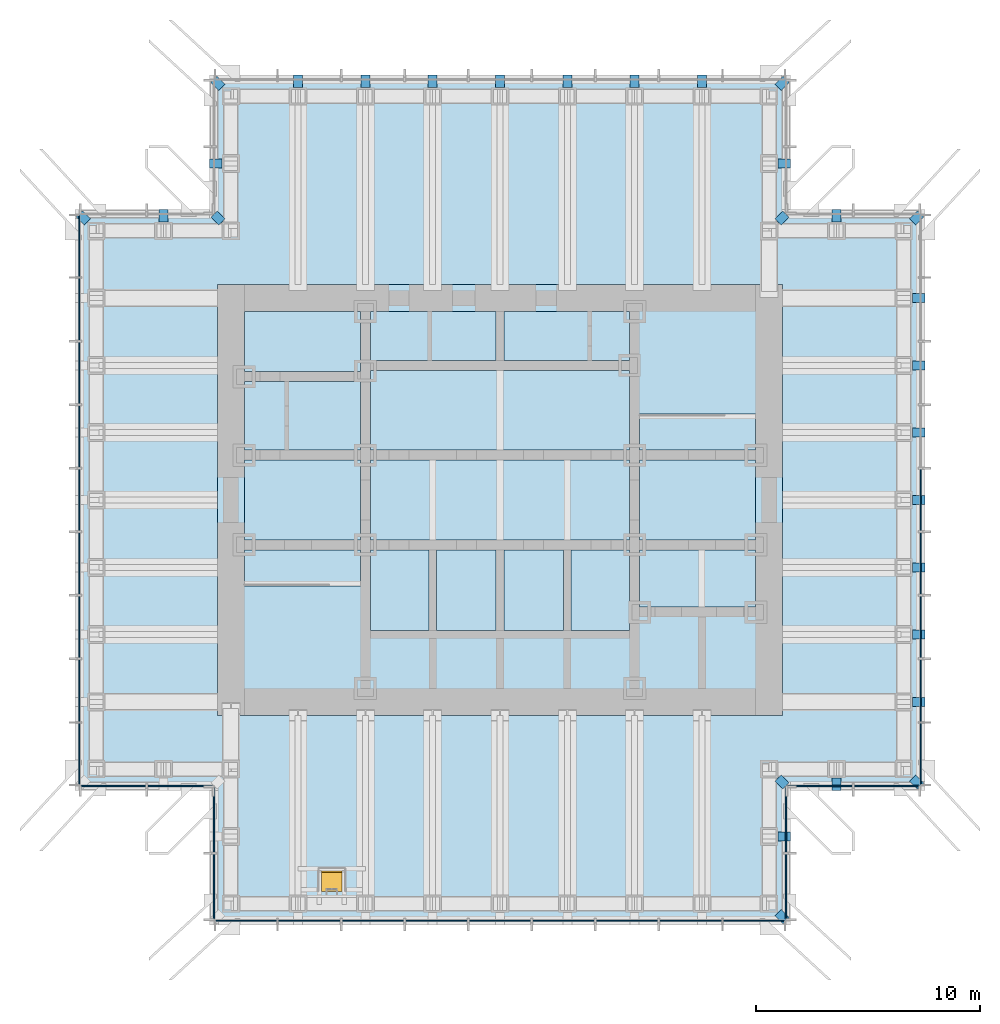
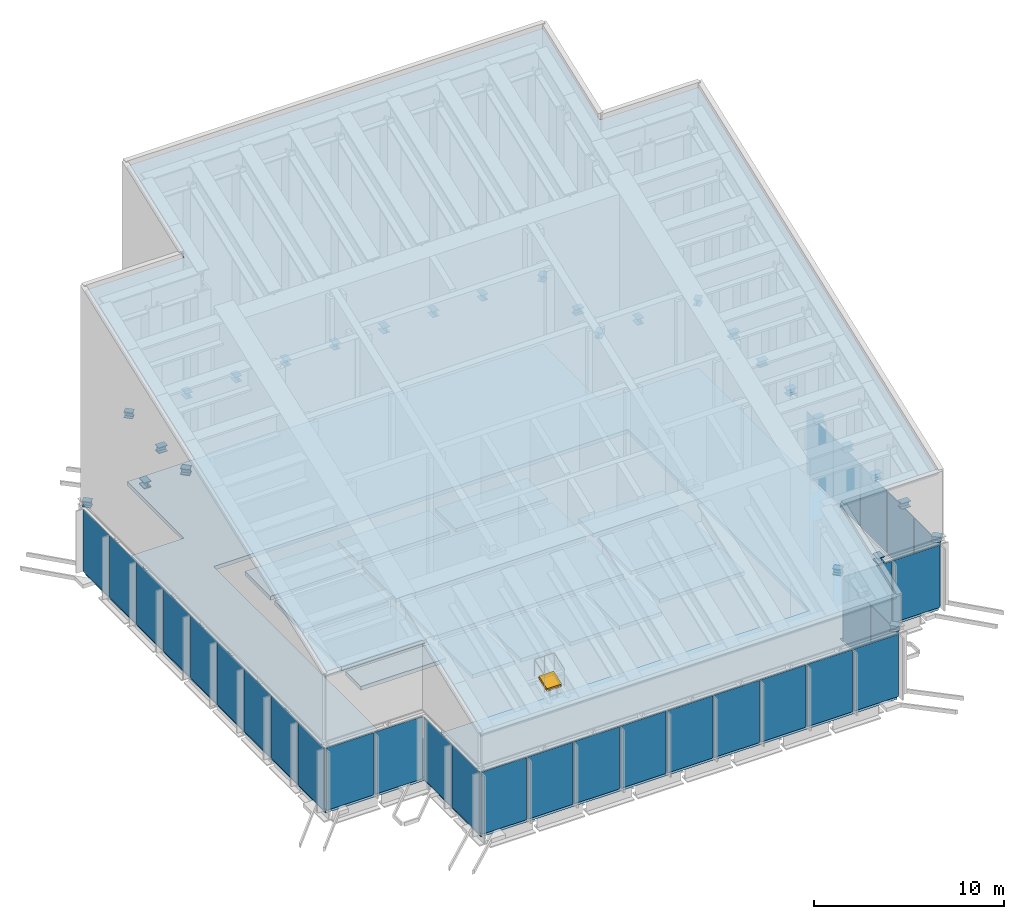
# One storey, part 9 of 15: 31 plates, 29 beams, 17 slabs, 1 door, 1 opening, 7 elements without a shape of their own.
"""IFC4 building model written with IfcOpenShell, lengths in metres."""

from ifc_helpers import new_model, si_unit, direction, frame, origin, origin_2d, place, context, subcontext, project, spatial, polyline, rectangle, i_section, outline, extrude, material, layer, layer_set, material_profile, profile_set, type_object, element, fill, aggregate, save


model = new_model("IFC4")

# Units and contexts
model_context = context("Model", 3, precision=1e-05, world=origin(), true_north=direction((0.0, 1.0)))
body_context = subcontext(model_context, "Body", "Model", "MODEL_VIEW")
ifc_project = project(units=[si_unit("LENGTHUNIT", "METRE"), si_unit("AREAUNIT", "SQUARE_METRE"), si_unit("VOLUMEUNIT", "CUBIC_METRE"), si_unit("PLANEANGLEUNIT", "RADIAN"), si_unit("MASSUNIT", "GRAM", prefix="KILO")], contexts=[model_context])

# Site, building, storey
site_placement = place(None, origin())
site = spatial("IfcSite", under=ifc_project, at=site_placement, CompositionType="ELEMENT")
building_placement = place(site_placement, origin())
building = spatial("IfcBuilding", under=site, at=building_placement, Name="Daluyong Arena Tower", CompositionType="ELEMENT")
storey_placement = place(building_placement, frame((0.0, 0.0, 285.699951171875)))
storey = spatial("IfcBuildingStorey", under=building, at=storey_placement, Name="L64", CompositionType="ELEMENT", Elevation=285.699951171875)

# Beams
ifc_material_1 = material(Name="Steel ASTM A992 Grade 50", Category="steel")
ifc_material_profile = material_profile(ifc_material_1, i_section(OverallWidth=0.398681640625, OverallDepth=0.385986328125, WebThickness=0.02099609375, FlangeThickness=0.033203125, at=origin_2d()))
ifc_profile_set = profile_set([ifc_material_profile], Name="Steel ASTM A992 Grade 50")
beam_type = type_object("IfcBeamType", Name="Crown louvre bracket W14X176", PredefinedType="BEAM", material=ifc_profile_set)
for number, where, z_axis, x_axis, name in (
    (1, (68.39990234375, 65.0, 4.39306640625), (1.0, 0.0, 0.0), (0.0, 1.0, 0.0), "crown louvre bracket LB1"),
    (2, (71.0, 67.60009765625, 4.39306640625), (0.0, -1.0, 0.0), (1.0, 0.0, 0.0), "crown louvre bracket LB1"),
    (3, (74.39990234375, 71.0, 4.39306640625), (1.0, 0.0, 0.0), (0.0, 1.0, 0.0), "crown louvre bracket LB1"),
    (4, (74.39990234375, 74.0, 4.39306640625), (1.0, 0.0, 0.0), (0.0, 1.0, 0.0), "crown louvre bracket LB1"),
    (5, (74.39990234375, 77.0, 4.39306640625), (1.0, 0.0, 0.0), (0.0, 1.0, 0.0), "crown louvre bracket LB1"),
    (6, (74.39990234375, 80.0, 4.39306640625), (1.0, 0.0, 0.0), (0.0, 1.0, 0.0), "crown louvre bracket LB1"),
    (7, (74.39990234375, 83.0, 4.39306640625), (1.0, 0.0, 0.0), (0.0, 1.0, 0.0), "crown louvre bracket LB1"),
    (8, (74.39990234375, 86.0, 4.39306640625), (1.0, 0.0, 0.0), (0.0, 1.0, 0.0), "crown louvre bracket LB1"),
    (9, (74.39990234375, 89.0, 4.39306640625), (1.0, 0.0, 0.0), (0.0, 1.0, 0.0), "crown louvre bracket LB1"),
    (10, (71.0, 92.39990234375, 4.39306640625), (0.0, 1.0, 0.0), (-1.0, 0.0, 0.0), "crown louvre bracket LB1"),
    (11, (68.39990234375, 95.0, 4.39306640625), (1.0, 0.0, 0.0), (0.0, 1.0, 0.0), "crown louvre bracket LB1"),
    (12, (65.0, 98.39990234375, 4.39306640625), (0.0, 1.0, 0.0), (-1.0, 0.0, 0.0), "crown louvre bracket LB1"),
    (13, (62.0, 98.39990234375, 4.39306640625), (0.0, 1.0, 0.0), (-1.0, 0.0, 0.0), "crown louvre bracket LB1"),
    (14, (59.0, 98.39990234375, 4.39306640625), (0.0, 1.0, 0.0), (-1.0, 0.0, 0.0), "crown louvre bracket LB1"),
    (15, (56.0, 98.39990234375, 4.39306640625), (0.0, 1.0, 0.0), (-1.0, 0.0, 0.0), "crown louvre bracket LB1"),
    (16, (53.0, 98.39990234375, 4.39306640625), (0.0, 1.0, 0.0), (-1.0, 0.0, 0.0), "crown louvre bracket LB1"),
    (17, (50.0, 98.39990234375, 4.39306640625), (0.0, 1.0, 0.0), (-1.0, 0.0, 0.0), "crown louvre bracket LB1"),
    (18, (47.0, 98.39990234375, 4.39306640625), (0.0, 1.0, 0.0), (-1.0, 0.0, 0.0), "crown louvre bracket LB1"),
    (19, (43.60009765625, 95.0, 4.39306640625), (-1.0, 0.0, 0.0), (0.0, -1.0, 0.0), "crown louvre bracket LB1"),
    (20, (41.0, 92.39990234375, 4.39306640625), (0.0, 1.0, 0.0), (-1.0, 0.0, 0.0), "crown louvre bracket LB1"),
):
    element("IfcBeam", number, at=place(storey_placement, frame(where, z_axis=z_axis, x_axis=x_axis)), inside=storey, type_object=beam_type, Name=name, PredefinedType="BEAM", context=body_context, shape_type="SweptSolid", body=[
        extrude(i_section(OverallWidth=0.398681640625, OverallDepth=0.385986328125, WebThickness=0.02099609375, FlangeThickness=0.033203125, at=origin_2d()), origin(), (0.0, 0.0, 1.0), 0.549560546875),
    ])
for number, where, z_axis, x_axis, name in (
    (21, (68.39990234375, 61.60009765625, 4.39306640625), (0.707106781187, -0.707106781187, 0.0), (0.707106781187, 0.707106781187, 0.0), "crown louvre bracket LB1"),
    (22, (68.39990234375, 67.60009765625, 4.39306640625), (0.707106781187, -0.707106781187, 0.0), (0.707106781187, 0.707106781187, 0.0), "crown louvre bracket LB1"),
    (23, (74.39990234375, 67.60009765625, 4.39306640625), (0.707106781187, -0.707106781187, 0.0), (0.707106781187, 0.707106781187, 0.0), "crown louvre bracket LB1"),
    (24, (74.39990234375, 92.39990234375, 4.39306640625), (0.707106781187, 0.707106781187, 0.0), (-0.707106781187, 0.707106781187, 0.0), "crown louvre bracket LB1"),
    (25, (68.39990234375, 92.39990234375, 4.39306640625), (0.707106781187, 0.707106781187, 0.0), (-0.707106781187, 0.707106781187, 0.0), "crown louvre bracket LB1"),
    (26, (68.39990234375, 98.39990234375, 4.39306640625), (0.707106781187, 0.707106781187, 0.0), (-0.707106781187, 0.707106781187, 0.0), "crown louvre bracket LB1"),
    (27, (43.60009765625, 98.39990234375, 4.39306640625), (-0.707106781187, 0.707106781187, 0.0), (-0.707106781187, -0.707106781187, 0.0), "crown louvre bracket LB1"),
    (28, (43.60009765625, 92.39990234375, 4.39306640625), (-0.707106781187, 0.707106781187, 0.0), (-0.707106781187, -0.707106781187, 0.0), "crown louvre bracket LB1"),
    (29, (37.60009765625, 92.39990234375, 4.39306640625), (-0.707106781187, 0.707106781187, 0.0), (-0.707106781187, -0.707106781187, 0.0), "crown louvre bracket LB1"),
):
    element("IfcBeam", number, at=place(storey_placement, frame(where, z_axis=z_axis, x_axis=x_axis)), inside=storey, type_object=beam_type, Name=name, PredefinedType="BEAM", context=body_context, shape_type="SweptSolid", body=[
        extrude(i_section(OverallWidth=0.398681640625, OverallDepth=0.385986328125, WebThickness=0.02099609375, FlangeThickness=0.033203125, at=origin_2d()), origin(), (0.0, 0.0, 1.0), 0.4951171875),
    ])

# Curtain wall, plates
ifc_material_2 = material(Name="Bronze anodised aluminium and glass", Category="aluminium")
curtain_wall_type = type_object("IfcCurtainWallType", Name="Curtain wall CW6", PredefinedType="USERDEFINED", material=ifc_material_2)
curtain_wall_1_placement = place(storey_placement, origin())
curtain_wall_1 = element("IfcCurtainWall", 30, at=curtain_wall_1_placement, inside=storey, type_object=curtain_wall_type, Name="crown louvre curtain wall L64 S", ObjectType="UNITISED CURTAIN WALL", PredefinedType="USERDEFINED")
ifc_material_3 = material(Name="Bronze aluminium louvre panel", Category="aluminium")
ifc_layer_1 = layer(ifc_material_3, 0.050048828125)
ifc_layer_set_1 = layer_set([ifc_layer_1], Name="Bronze aluminium louvre panel")
plate_type = type_object("IfcPlateType", Name="CW6 panel 50", PredefinedType="CURTAIN_PANEL", material=ifc_layer_set_1)
plate_1_placement = place(storey_placement, frame((44.686767578125, 61.25, 0.0), z_axis=(0.0, 0.0, 1.0), x_axis=(1.0, 0.0, 0.0)))
plate_1 = element("IfcPlate", 31, at=plate_1_placement, type_object=plate_type, Name="crown louvre curtain wall L64 S panel 1", PredefinedType="CURTAIN_PANEL", context=body_context, shape_type="SweptSolid", body=[
    extrude(rectangle(XDim=2.71337890625, YDim=0.050048828125, at=origin_2d()), origin(), (0.0, 0.0, 1.0), 4.0),
])
plate_2_placement = place(storey_placement, frame((47.5, 61.25, 0.0), z_axis=(0.0, 0.0, 1.0), x_axis=(1.0, 0.0, 0.0)))
plate_2 = element("IfcPlate", 32, at=plate_2_placement, type_object=plate_type, Name="crown louvre curtain wall L64 S panel 2", PredefinedType="CURTAIN_PANEL", context=body_context, shape_type="SweptSolid", body=[
    extrude(rectangle(XDim=2.75341796875, YDim=0.050048828125, at=origin_2d()), origin(), (0.0, 0.0, 1.0), 4.0),
])
plate_3_placement = place(storey_placement, frame((50.333251953125, 61.25, 0.0), z_axis=(0.0, 0.0, 1.0), x_axis=(1.0, 0.0, 0.0)))
plate_3 = element("IfcPlate", 33, at=plate_3_placement, type_object=plate_type, Name="crown louvre curtain wall L64 S panel 3", PredefinedType="CURTAIN_PANEL", context=body_context, shape_type="SweptSolid", body=[
    extrude(rectangle(XDim=2.75341796875, YDim=0.050048828125, at=origin_2d()), origin(), (0.0, 0.0, 1.0), 4.0),
])
plate_4_placement = place(storey_placement, frame((53.166748046875, 61.25, 0.0), z_axis=(0.0, 0.0, 1.0), x_axis=(1.0, 0.0, 0.0)))
plate_4 = element("IfcPlate", 34, at=plate_4_placement, type_object=plate_type, Name="crown louvre curtain wall L64 S panel 4", PredefinedType="CURTAIN_PANEL", context=body_context, shape_type="SweptSolid", body=[
    extrude(rectangle(XDim=2.75341796875, YDim=0.050048828125, at=origin_2d()), origin(), (0.0, 0.0, 1.0), 4.0),
])
plate_5_placement = place(storey_placement, frame((56.0, 61.25, 0.0), z_axis=(0.0, 0.0, 1.0), x_axis=(1.0, 0.0, 0.0)))
plate_5 = element("IfcPlate", 35, at=plate_5_placement, type_object=plate_type, Name="crown louvre curtain wall L64 S panel 5", PredefinedType="CURTAIN_PANEL", context=body_context, shape_type="SweptSolid", body=[
    extrude(rectangle(XDim=2.75341796875, YDim=0.050048828125, at=origin_2d()), origin(), (0.0, 0.0, 1.0), 4.0),
])
plate_6_placement = place(storey_placement, frame((58.833251953125, 61.25, 0.0), z_axis=(0.0, 0.0, 1.0), x_axis=(1.0, 0.0, 0.0)))
plate_6 = element("IfcPlate", 36, at=plate_6_placement, type_object=plate_type, Name="crown louvre curtain wall L64 S panel 6", PredefinedType="CURTAIN_PANEL", context=body_context, shape_type="SweptSolid", body=[
    extrude(rectangle(XDim=2.75341796875, YDim=0.050048828125, at=origin_2d()), origin(), (0.0, 0.0, 1.0), 4.0),
])
plate_7_placement = place(storey_placement, frame((61.666748046875, 61.25, 0.0), z_axis=(0.0, 0.0, 1.0), x_axis=(1.0, 0.0, 0.0)))
plate_7 = element("IfcPlate", 37, at=plate_7_placement, type_object=plate_type, Name="crown louvre curtain wall L64 S panel 7", PredefinedType="CURTAIN_PANEL", context=body_context, shape_type="SweptSolid", body=[
    extrude(rectangle(XDim=2.75341796875, YDim=0.050048828125, at=origin_2d()), origin(), (0.0, 0.0, 1.0), 4.0),
])
plate_8_placement = place(storey_placement, frame((64.5, 61.25, 0.0), z_axis=(0.0, 0.0, 1.0), x_axis=(1.0, 0.0, 0.0)))
plate_8 = element("IfcPlate", 38, at=plate_8_placement, type_object=plate_type, Name="crown louvre curtain wall L64 S panel 8", PredefinedType="CURTAIN_PANEL", context=body_context, shape_type="SweptSolid", body=[
    extrude(rectangle(XDim=2.75341796875, YDim=0.050048828125, at=origin_2d()), origin(), (0.0, 0.0, 1.0), 4.0),
])
plate_9_placement = place(storey_placement, frame((67.313232421875, 61.25, 0.0), z_axis=(0.0, 0.0, 1.0), x_axis=(1.0, 0.0, 0.0)))
plate_9 = element("IfcPlate", 39, at=plate_9_placement, type_object=plate_type, Name="crown louvre curtain wall L64 S panel 9", PredefinedType="CURTAIN_PANEL", context=body_context, shape_type="SweptSolid", body=[
    extrude(rectangle(XDim=2.71337890625, YDim=0.050048828125, at=origin_2d()), origin(), (0.0, 0.0, 1.0), 4.0),
])
aggregate(curtain_wall_1, [plate_1, plate_2, plate_3, plate_4, plate_5, plate_6, plate_7, plate_8, plate_9])

curtain_wall_2_placement = place(storey_placement, origin())
curtain_wall_2 = element("IfcCurtainWall", 40, at=curtain_wall_2_placement, inside=storey, type_object=curtain_wall_type, Name="crown louvre curtain wall L64 SE-E", ObjectType="UNITISED CURTAIN WALL", PredefinedType="USERDEFINED")
plate_10_placement = place(storey_placement, frame((68.75, 62.77001953125, 0.0), z_axis=(0.0, 0.0, 1.0), x_axis=(0.0, 1.0, 0.0)))
plate_10 = element("IfcPlate", 41, at=plate_10_placement, type_object=plate_type, Name="crown louvre curtain wall L64 SE-E panel 1", PredefinedType="CURTAIN_PANEL", context=body_context, shape_type="SweptSolid", body=[
    extrude(rectangle(XDim=2.8798828125, YDim=0.050048828125, at=origin_2d()), origin(), (0.0, 0.0, 1.0), 4.0),
])
plate_11_placement = place(storey_placement, frame((68.75, 65.72998046875, 0.0), z_axis=(0.0, 0.0, 1.0), x_axis=(0.0, 1.0, 0.0)))
plate_11 = element("IfcPlate", 42, at=plate_11_placement, type_object=plate_type, Name="crown louvre curtain wall L64 SE-E panel 2", PredefinedType="CURTAIN_PANEL", context=body_context, shape_type="SweptSolid", body=[
    extrude(rectangle(XDim=2.8798828125, YDim=0.050048828125, at=origin_2d()), origin(), (0.0, 0.0, 1.0), 4.0),
])
aggregate(curtain_wall_2, [plate_10, plate_11])

curtain_wall_3_placement = place(storey_placement, origin())
curtain_wall_3 = element("IfcCurtainWall", 43, at=curtain_wall_3_placement, inside=storey, type_object=curtain_wall_type, Name="crown louvre curtain wall L64 SE-S", ObjectType="UNITISED CURTAIN WALL", PredefinedType="USERDEFINED")
plate_12_placement = place(storey_placement, frame((70.27001953125, 67.25, 0.0), z_axis=(0.0, 0.0, 1.0), x_axis=(1.0, 0.0, 0.0)))
plate_12 = element("IfcPlate", 44, at=plate_12_placement, type_object=plate_type, Name="crown louvre curtain wall L64 SE-S panel 1", PredefinedType="CURTAIN_PANEL", context=body_context, shape_type="SweptSolid", body=[
    extrude(rectangle(XDim=2.8798828125, YDim=0.050048828125, at=origin_2d()), origin(), (0.0, 0.0, 1.0), 4.0),
])
plate_13_placement = place(storey_placement, frame((73.22998046875, 67.25, 0.0), z_axis=(0.0, 0.0, 1.0), x_axis=(1.0, 0.0, 0.0)))
plate_13 = element("IfcPlate", 45, at=plate_13_placement, type_object=plate_type, Name="crown louvre curtain wall L64 SE-S panel 2", PredefinedType="CURTAIN_PANEL", context=body_context, shape_type="SweptSolid", body=[
    extrude(rectangle(XDim=2.8798828125, YDim=0.050048828125, at=origin_2d()), origin(), (0.0, 0.0, 1.0), 4.0),
])
aggregate(curtain_wall_3, [plate_12, plate_13])

curtain_wall_4_placement = place(storey_placement, origin())
curtain_wall_4 = element("IfcCurtainWall", 46, at=curtain_wall_4_placement, inside=storey, type_object=curtain_wall_type, Name="crown louvre curtain wall L64 E", ObjectType="UNITISED CURTAIN WALL", PredefinedType="USERDEFINED")
plate_14_placement = place(storey_placement, frame((74.75, 68.686767578125, 0.0), z_axis=(0.0, 0.0, 1.0), x_axis=(0.0, 1.0, 0.0)))
plate_14 = element("IfcPlate", 47, at=plate_14_placement, type_object=plate_type, Name="crown louvre curtain wall L64 E panel 1", PredefinedType="CURTAIN_PANEL", context=body_context, shape_type="SweptSolid", body=[
    extrude(rectangle(XDim=2.71337890625, YDim=0.050048828125, at=origin_2d()), origin(), (0.0, 0.0, 1.0), 4.0),
])
plate_15_placement = place(storey_placement, frame((74.75, 71.5, 0.0), z_axis=(0.0, 0.0, 1.0), x_axis=(0.0, 1.0, 0.0)))
plate_15 = element("IfcPlate", 48, at=plate_15_placement, type_object=plate_type, Name="crown louvre curtain wall L64 E panel 2", PredefinedType="CURTAIN_PANEL", context=body_context, shape_type="SweptSolid", body=[
    extrude(rectangle(XDim=2.75341796875, YDim=0.050048828125, at=origin_2d()), origin(), (0.0, 0.0, 1.0), 4.0),
])
plate_16_placement = place(storey_placement, frame((74.75, 74.333251953125, 0.0), z_axis=(0.0, 0.0, 1.0), x_axis=(0.0, 1.0, 0.0)))
plate_16 = element("IfcPlate", 49, at=plate_16_placement, type_object=plate_type, Name="crown louvre curtain wall L64 E panel 3", PredefinedType="CURTAIN_PANEL", context=body_context, shape_type="SweptSolid", body=[
    extrude(rectangle(XDim=2.75341796875, YDim=0.050048828125, at=origin_2d()), origin(), (0.0, 0.0, 1.0), 4.0),
])
plate_17_placement = place(storey_placement, frame((74.75, 77.166748046875, 0.0), z_axis=(0.0, 0.0, 1.0), x_axis=(0.0, 1.0, 0.0)))
plate_17 = element("IfcPlate", 50, at=plate_17_placement, type_object=plate_type, Name="crown louvre curtain wall L64 E panel 4", PredefinedType="CURTAIN_PANEL", context=body_context, shape_type="SweptSolid", body=[
    extrude(rectangle(XDim=2.75341796875, YDim=0.050048828125, at=origin_2d()), origin(), (0.0, 0.0, 1.0), 4.0),
])
plate_18_placement = place(storey_placement, frame((74.75, 80.0, 0.0), z_axis=(0.0, 0.0, 1.0), x_axis=(0.0, 1.0, 0.0)))
plate_18 = element("IfcPlate", 51, at=plate_18_placement, type_object=plate_type, Name="crown louvre curtain wall L64 E panel 5", PredefinedType="CURTAIN_PANEL", context=body_context, shape_type="SweptSolid", body=[
    extrude(rectangle(XDim=2.75341796875, YDim=0.050048828125, at=origin_2d()), origin(), (0.0, 0.0, 1.0), 4.0),
])
aggregate(curtain_wall_4, [plate_14, plate_15, plate_16, plate_17, plate_18])

curtain_wall_5_placement = place(storey_placement, origin())
curtain_wall_5 = element("IfcCurtainWall", 52, at=curtain_wall_5_placement, inside=storey, type_object=curtain_wall_type, Name="crown louvre curtain wall L64 W", ObjectType="UNITISED CURTAIN WALL", PredefinedType="USERDEFINED")
plate_19_placement = place(storey_placement, frame((37.25, 91.313232421875, 0.0), z_axis=(0.0, 0.0, 1.0), x_axis=(0.0, -1.0, 0.0)))
plate_19 = element("IfcPlate", 53, at=plate_19_placement, type_object=plate_type, Name="crown louvre curtain wall L64 W panel 1", PredefinedType="CURTAIN_PANEL", context=body_context, shape_type="SweptSolid", body=[
    extrude(rectangle(XDim=2.71337890625, YDim=0.050048828125, at=origin_2d()), origin(), (0.0, 0.0, 1.0), 4.0),
])
plate_20_placement = place(storey_placement, frame((37.25, 88.5, 0.0), z_axis=(0.0, 0.0, 1.0), x_axis=(0.0, -1.0, 0.0)))
plate_20 = element("IfcPlate", 54, at=plate_20_placement, type_object=plate_type, Name="crown louvre curtain wall L64 W panel 2", PredefinedType="CURTAIN_PANEL", context=body_context, shape_type="SweptSolid", body=[
    extrude(rectangle(XDim=2.75341796875, YDim=0.050048828125, at=origin_2d()), origin(), (0.0, 0.0, 1.0), 4.0),
])
plate_21_placement = place(storey_placement, frame((37.25, 85.666748046875, 0.0), z_axis=(0.0, 0.0, 1.0), x_axis=(0.0, -1.0, 0.0)))
plate_21 = element("IfcPlate", 55, at=plate_21_placement, type_object=plate_type, Name="crown louvre curtain wall L64 W panel 3", PredefinedType="CURTAIN_PANEL", context=body_context, shape_type="SweptSolid", body=[
    extrude(rectangle(XDim=2.75341796875, YDim=0.050048828125, at=origin_2d()), origin(), (0.0, 0.0, 1.0), 4.0),
])
plate_22_placement = place(storey_placement, frame((37.25, 82.833251953125, 0.0), z_axis=(0.0, 0.0, 1.0), x_axis=(0.0, -1.0, 0.0)))
plate_22 = element("IfcPlate", 56, at=plate_22_placement, type_object=plate_type, Name="crown louvre curtain wall L64 W panel 4", PredefinedType="CURTAIN_PANEL", context=body_context, shape_type="SweptSolid", body=[
    extrude(rectangle(XDim=2.75341796875, YDim=0.050048828125, at=origin_2d()), origin(), (0.0, 0.0, 1.0), 4.0),
])
plate_23_placement = place(storey_placement, frame((37.25, 80.0, 0.0), z_axis=(0.0, 0.0, 1.0), x_axis=(0.0, -1.0, 0.0)))
plate_23 = element("IfcPlate", 57, at=plate_23_placement, type_object=plate_type, Name="crown louvre curtain wall L64 W panel 5", PredefinedType="CURTAIN_PANEL", context=body_context, shape_type="SweptSolid", body=[
    extrude(rectangle(XDim=2.75341796875, YDim=0.050048828125, at=origin_2d()), origin(), (0.0, 0.0, 1.0), 4.0),
])
plate_24_placement = place(storey_placement, frame((37.25, 77.166748046875, 0.0), z_axis=(0.0, 0.0, 1.0), x_axis=(0.0, -1.0, 0.0)))
plate_24 = element("IfcPlate", 58, at=plate_24_placement, type_object=plate_type, Name="crown louvre curtain wall L64 W panel 6", PredefinedType="CURTAIN_PANEL", context=body_context, shape_type="SweptSolid", body=[
    extrude(rectangle(XDim=2.75341796875, YDim=0.050048828125, at=origin_2d()), origin(), (0.0, 0.0, 1.0), 4.0),
])
plate_25_placement = place(storey_placement, frame((37.25, 74.333251953125, 0.0), z_axis=(0.0, 0.0, 1.0), x_axis=(0.0, -1.0, 0.0)))
plate_25 = element("IfcPlate", 59, at=plate_25_placement, type_object=plate_type, Name="crown louvre curtain wall L64 W panel 7", PredefinedType="CURTAIN_PANEL", context=body_context, shape_type="SweptSolid", body=[
    extrude(rectangle(XDim=2.75341796875, YDim=0.050048828125, at=origin_2d()), origin(), (0.0, 0.0, 1.0), 4.0),
])
plate_26_placement = place(storey_placement, frame((37.25, 71.5, 0.0), z_axis=(0.0, 0.0, 1.0), x_axis=(0.0, -1.0, 0.0)))
plate_26 = element("IfcPlate", 60, at=plate_26_placement, type_object=plate_type, Name="crown louvre curtain wall L64 W panel 8", PredefinedType="CURTAIN_PANEL", context=body_context, shape_type="SweptSolid", body=[
    extrude(rectangle(XDim=2.75341796875, YDim=0.050048828125, at=origin_2d()), origin(), (0.0, 0.0, 1.0), 4.0),
])
plate_27_placement = place(storey_placement, frame((37.25, 68.686767578125, 0.0), z_axis=(0.0, 0.0, 1.0), x_axis=(0.0, -1.0, 0.0)))
plate_27 = element("IfcPlate", 61, at=plate_27_placement, type_object=plate_type, Name="crown louvre curtain wall L64 W panel 9", PredefinedType="CURTAIN_PANEL", context=body_context, shape_type="SweptSolid", body=[
    extrude(rectangle(XDim=2.71337890625, YDim=0.050048828125, at=origin_2d()), origin(), (0.0, 0.0, 1.0), 4.0),
])
aggregate(curtain_wall_5, [plate_19, plate_20, plate_21, plate_22, plate_23, plate_24, plate_25, plate_26, plate_27])

curtain_wall_6_placement = place(storey_placement, origin())
curtain_wall_6 = element("IfcCurtainWall", 62, at=curtain_wall_6_placement, inside=storey, type_object=curtain_wall_type, Name="crown louvre curtain wall L64 SW-S", ObjectType="UNITISED CURTAIN WALL", PredefinedType="USERDEFINED")
plate_28_placement = place(storey_placement, frame((38.77001953125, 67.25, 0.0), z_axis=(0.0, 0.0, 1.0), x_axis=(1.0, 0.0, 0.0)))
plate_28 = element("IfcPlate", 63, at=plate_28_placement, type_object=plate_type, Name="crown louvre curtain wall L64 SW-S panel 1", PredefinedType="CURTAIN_PANEL", context=body_context, shape_type="SweptSolid", body=[
    extrude(rectangle(XDim=2.8798828125, YDim=0.050048828125, at=origin_2d()), origin(), (0.0, 0.0, 1.0), 4.0),
])
plate_29_placement = place(storey_placement, frame((41.72998046875, 67.25, 0.0), z_axis=(0.0, 0.0, 1.0), x_axis=(1.0, 0.0, 0.0)))
plate_29 = element("IfcPlate", 64, at=plate_29_placement, type_object=plate_type, Name="crown louvre curtain wall L64 SW-S panel 2", PredefinedType="CURTAIN_PANEL", context=body_context, shape_type="SweptSolid", body=[
    extrude(rectangle(XDim=2.8798828125, YDim=0.050048828125, at=origin_2d()), origin(), (0.0, 0.0, 1.0), 4.0),
])
aggregate(curtain_wall_6, [plate_28, plate_29])

curtain_wall_7_placement = place(storey_placement, origin())
curtain_wall_7 = element("IfcCurtainWall", 65, at=curtain_wall_7_placement, inside=storey, type_object=curtain_wall_type, Name="crown louvre curtain wall L64 SW-W", ObjectType="UNITISED CURTAIN WALL", PredefinedType="USERDEFINED")
plate_30_placement = place(storey_placement, frame((43.25, 65.72998046875, 0.0), z_axis=(0.0, 0.0, 1.0), x_axis=(0.0, -1.0, 0.0)))
plate_30 = element("IfcPlate", 66, at=plate_30_placement, type_object=plate_type, Name="crown louvre curtain wall L64 SW-W panel 1", PredefinedType="CURTAIN_PANEL", context=body_context, shape_type="SweptSolid", body=[
    extrude(rectangle(XDim=2.8798828125, YDim=0.050048828125, at=origin_2d()), origin(), (0.0, 0.0, 1.0), 4.0),
])
plate_31_placement = place(storey_placement, frame((43.25, 62.77001953125, 0.0), z_axis=(0.0, 0.0, 1.0), x_axis=(0.0, -1.0, 0.0)))
plate_31 = element("IfcPlate", 67, at=plate_31_placement, type_object=plate_type, Name="crown louvre curtain wall L64 SW-W panel 2", PredefinedType="CURTAIN_PANEL", context=body_context, shape_type="SweptSolid", body=[
    extrude(rectangle(XDim=2.8798828125, YDim=0.050048828125, at=origin_2d()), origin(), (0.0, 0.0, 1.0), 4.0),
])
aggregate(curtain_wall_7, [plate_30, plate_31])

# Slab, opening, door
ifc_material_4 = material(Name="Concrete fc' 35 MPa", Category="concrete")
ifc_layer_2 = layer(ifc_material_4, 0.14990234375)
ifc_layer_set_2 = layer_set([ifc_layer_2], Name="Concrete fc' 35 MPa")
slab_type_1 = type_object("IfcSlabType", Name="Crown roof slab 150", PredefinedType="ROOF", material=ifc_layer_set_2)
slab_1_placement = place(storey_placement, frame((43.35009765625, 61.35009765625, 6.300048828125), z_axis=(0.0, -0.351401202269, 0.936224970316), x_axis=(1.0, 0.0, 0.0)))
slab_1 = element("IfcSlab", 68, at=slab_1_placement, inside=storey, type_object=slab_type_1, Name="sloped crown roof", PredefinedType="ROOF", context=body_context, shape_type="SweptSolid", body=[
    extrude(outline(polyline([(0.0, 0.0), (25.2998046875, 0.0), (25.2998046875, 6.408688857476694), (31.2998046875, 6.408688857476694), (31.2998046875, 33.43193651065066), (25.2998046875, 33.43193651065066), (25.2998046875, 39.84062536812735), (0.0, 39.84062536812735), (0.0, 33.43193651065066), (-6.0, 33.43193651065066), (-6.0, 6.408688857476694), (0.0, 6.408688857476694), (0.0, 0.0)])), origin(), (0.0, 0.0, -1.0), 0.14990234375),
])
opening_placement = place(storey_placement, frame((48.5, 63.0, 6.540283203125)))
opening = element("IfcOpeningElement", 69, at=opening_placement, cuts=slab_1, Name="Opening RH2", PredefinedType="OPENING", context=body_context, shape_type="SweptSolid", body=[
    extrude(rectangle(XDim=0.89990234375, YDim=0.89990234375, at=origin_2d()), origin(), (0.0, 0.0, 1.0), 0.747802734375),
])
ifc_material_5 = material(Name="Aluminium roof hatch", Category="aluminium")
door_type = type_object("IfcDoorType", Name="Roof access hatch 900 pitched", OperationType="SINGLE_SWING_LEFT", PredefinedType="TRAPDOOR", material=ifc_material_5)
door_placement = place(storey_placement, frame((48.5, 63.0263671875, 6.92919921875), z_axis=(0.0, -0.351401202269, 0.936224970316), x_axis=(1.0, 0.0, 0.0)))
door = element("IfcDoor", 70, at=door_placement, inside=storey, type_object=door_type, Name="crown roof access hatch", OperationType="SINGLE_SWING_LEFT", OverallHeight=0.89990234375, OverallWidth=0.89990234375, PredefinedType="TRAPDOOR", context=body_context, shape_type="SweptSolid", body=[
    extrude(rectangle(XDim=0.89990234375, YDim=0.905029296875, at=origin_2d()), origin(), (0.0, 0.0, 1.0), 0.14990234375),
])
fill(opening, door)

# Slabs
ifc_material_6 = material(Name="Concrete fc' 35 MPa", Category="concrete")
ifc_layer_3 = layer(ifc_material_6, 0.25)
ifc_layer_set_3 = layer_set([ifc_layer_3], Name="Concrete fc' 35 MPa")
slab_type_2 = type_object("IfcSlabType", Name="Plant floor slab 250", PredefinedType="FLOOR", material=ifc_layer_set_3)
slab_2_placement = place(storey_placement, frame((0.0, 0.0, -0.25)))
element("IfcSlab", 71, at=slab_2_placement, inside=storey, type_object=slab_type_2, Name="floor L64 part 1", PredefinedType="FLOOR", context=body_context, shape_type="SweptSolid", body=[
    extrude(outline(polyline([(49.77490234375, 77.77490234375), (44.60009765625, 77.77490234375), (44.60009765625, 76.175048828125), (49.77490234375, 76.175048828125), (49.77490234375, 77.77490234375)])), origin(), (0.0, 0.0, 1.0), 0.25),
])
slab_3_placement = place(storey_placement, frame((0.0, 0.0, -0.25)))
element("IfcSlab", 72, at=slab_3_placement, inside=storey, type_object=slab_type_2, Name="floor L64 part 2", PredefinedType="FLOOR", context=body_context, shape_type="SweptSolid", body=[
    extrude(outline(polyline([(49.77490234375, 78.22509765625), (49.77490234375, 81.77490234375), (44.60009765625, 81.77490234375), (44.60009765625, 78.22509765625), (49.77490234375, 78.22509765625)])), origin(), (0.0, 0.0, 1.0), 0.25),
])
slab_4_placement = place(storey_placement, frame((0.0, 0.0, -0.25)))
element("IfcSlab", 73, at=slab_4_placement, inside=storey, type_object=slab_type_2, Name="floor L64 part 3", PredefinedType="FLOOR", context=body_context, shape_type="SweptSolid", body=[
    extrude(outline(polyline([(44.60009765625, 85.27490234375), (44.60009765625, 82.22509765625), (49.77490234375, 82.22509765625), (49.77490234375, 85.27490234375), (44.60009765625, 85.27490234375)])), origin(), (0.0, 0.0, 1.0), 0.25),
])
slab_5_placement = place(storey_placement, frame((0.0, 0.0, -0.25)))
element("IfcSlab", 74, at=slab_5_placement, inside=storey, type_object=slab_type_2, Name="floor L64 part 4", PredefinedType="FLOOR", context=body_context, shape_type="SweptSolid", body=[
    extrude(outline(polyline([(44.60009765625, 88.39990234375), (44.60009765625, 85.72509765625), (49.77490234375, 85.72509765625), (49.77490234375, 88.39990234375), (44.60009765625, 88.39990234375)])), origin(), (0.0, 0.0, 1.0), 0.25),
])
slab_6_placement = place(storey_placement, frame((0.0, 0.0, -0.25)))
element("IfcSlab", 75, at=slab_6_placement, inside=storey, type_object=slab_type_2, Name="floor L64 part 5", PredefinedType="FLOOR", context=body_context, shape_type="SweptSolid", body=[
    extrude(outline(polyline([(52.824951171875, 74.175048828125), (52.824951171875, 77.77490234375), (50.22509765625, 77.77490234375), (50.22509765625, 74.175048828125), (52.824951171875, 74.175048828125)])), origin(), (0.0, 0.0, 1.0), 0.25),
])
slab_7_placement = place(storey_placement, frame((0.0, 0.0, -0.25)))
element("IfcSlab", 76, at=slab_7_placement, inside=storey, type_object=slab_type_2, Name="floor L64 part 6", PredefinedType="FLOOR", context=body_context, shape_type="SweptSolid", body=[
    extrude(outline(polyline([(50.22509765625, 88.39990234375), (50.22509765625, 86.22509765625), (55.824951171875, 86.22509765625), (55.824951171875, 88.39990234375), (50.22509765625, 88.39990234375)])), origin(), (0.0, 0.0, 1.0), 0.25),
])
slab_8_placement = place(storey_placement, frame((0.0, 0.0, -0.25)))
element("IfcSlab", 77, at=slab_8_placement, inside=storey, type_object=slab_type_2, Name="floor L64 part 7", PredefinedType="FLOOR", context=body_context, shape_type="SweptSolid", body=[
    extrude(outline(polyline([(53.175048828125, 74.175048828125), (55.824951171875, 74.175048828125), (55.824951171875, 77.77490234375), (53.175048828125, 77.77490234375), (53.175048828125, 74.175048828125)])), origin(), (0.0, 0.0, 1.0), 0.25),
])
slab_9_placement = place(storey_placement, frame((0.0, 0.0, -0.25)))
element("IfcSlab", 78, at=slab_9_placement, inside=storey, type_object=slab_type_2, Name="floor L64 part 8", PredefinedType="FLOOR", context=body_context, shape_type="SweptSolid", body=[
    extrude(outline(polyline([(43.35009765625, 67.35009765625), (43.35009765625, 61.35009765625), (68.64990234375, 61.35009765625), (68.64990234375, 67.35009765625), (74.64990234375, 67.35009765625), (74.64990234375, 92.64990234375), (68.64990234375, 92.64990234375), (68.64990234375, 98.64990234375), (43.35009765625, 98.64990234375), (43.35009765625, 92.64990234375), (37.35009765625, 92.64990234375), (37.35009765625, 67.35009765625), (43.35009765625, 67.35009765625)]), holes=[polyline([(68.60009765625, 89.60009765625), (68.60009765625, 70.39990234375), (43.39990234375, 70.39990234375), (43.39990234375, 89.60009765625), (68.60009765625, 89.60009765625)])]), origin(), (0.0, 0.0, 1.0), 0.25),
])
slab_10_placement = place(storey_placement, frame((0.0, 0.0, -0.25)))
element("IfcSlab", 79, at=slab_10_placement, inside=storey, type_object=slab_type_2, Name="floor L64 part 9", PredefinedType="FLOOR", context=body_context, shape_type="SweptSolid", body=[
    extrude(outline(polyline([(50.22509765625, 81.77490234375), (50.22509765625, 78.22509765625), (61.77490234375, 78.22509765625), (61.77490234375, 81.77490234375), (50.22509765625, 81.77490234375)])), origin(), (0.0, 0.0, 1.0), 0.25),
])
slab_11_placement = place(storey_placement, frame((0.0, 0.0, -0.25)))
element("IfcSlab", 80, at=slab_11_placement, inside=storey, type_object=slab_type_2, Name="floor L64 part 10", PredefinedType="FLOOR", context=body_context, shape_type="SweptSolid", body=[
    extrude(outline(polyline([(50.22509765625, 85.77490234375), (50.22509765625, 82.22509765625), (61.77490234375, 82.22509765625), (61.77490234375, 85.77490234375), (50.22509765625, 85.77490234375)])), origin(), (0.0, 0.0, 1.0), 0.25),
])
slab_12_placement = place(storey_placement, frame((0.0, 0.0, -0.25)))
element("IfcSlab", 81, at=slab_12_placement, inside=storey, type_object=slab_type_2, Name="floor L64 part 11", PredefinedType="FLOOR", context=body_context, shape_type="SweptSolid", body=[
    extrude(outline(polyline([(58.824951171875, 77.77490234375), (56.175048828125, 77.77490234375), (56.175048828125, 74.175048828125), (58.824951171875, 74.175048828125), (58.824951171875, 77.77490234375)])), origin(), (0.0, 0.0, 1.0), 0.25),
])
slab_13_placement = place(storey_placement, frame((0.0, 0.0, -0.25)))
element("IfcSlab", 82, at=slab_13_placement, inside=storey, type_object=slab_type_2, Name="floor L64 part 12", PredefinedType="FLOOR", context=body_context, shape_type="SweptSolid", body=[
    extrude(outline(polyline([(56.175048828125, 88.39990234375), (56.175048828125, 86.22509765625), (61.77490234375, 86.22509765625), (61.77490234375, 88.39990234375), (56.175048828125, 88.39990234375)])), origin(), (0.0, 0.0, 1.0), 0.25),
])
slab_14_placement = place(storey_placement, frame((0.0, 0.0, -0.25)))
element("IfcSlab", 83, at=slab_14_placement, inside=storey, type_object=slab_type_2, Name="floor L64 part 13", PredefinedType="FLOOR", context=body_context, shape_type="SweptSolid", body=[
    extrude(outline(polyline([(61.77490234375, 77.77490234375), (59.175048828125, 77.77490234375), (59.175048828125, 74.175048828125), (61.77490234375, 74.175048828125), (61.77490234375, 77.77490234375)])), origin(), (0.0, 0.0, 1.0), 0.25),
])
slab_15_placement = place(storey_placement, frame((0.0, 0.0, -0.25)))
element("IfcSlab", 84, at=slab_15_placement, inside=storey, type_object=slab_type_2, Name="floor L64 part 14", PredefinedType="FLOOR", context=body_context, shape_type="SweptSolid", body=[
    extrude(outline(polyline([(67.39990234375, 75.22509765625), (67.39990234375, 77.77490234375), (62.22509765625, 77.77490234375), (62.22509765625, 75.22509765625), (67.39990234375, 75.22509765625)])), origin(), (0.0, 0.0, 1.0), 0.25),
])
slab_16_placement = place(storey_placement, frame((0.0, 0.0, -0.25)))
element("IfcSlab", 85, at=slab_16_placement, inside=storey, type_object=slab_type_2, Name="floor L64 part 15", PredefinedType="FLOOR", context=body_context, shape_type="SweptSolid", body=[
    extrude(outline(polyline([(67.39990234375, 78.22509765625), (67.39990234375, 81.77490234375), (62.22509765625, 81.77490234375), (62.22509765625, 78.22509765625), (67.39990234375, 78.22509765625)])), origin(), (0.0, 0.0, 1.0), 0.25),
])
slab_17_placement = place(storey_placement, frame((0.0, 0.0, -0.25)))
element("IfcSlab", 86, at=slab_17_placement, inside=storey, type_object=slab_type_2, Name="floor L64 part 16", PredefinedType="FLOOR", context=body_context, shape_type="SweptSolid", body=[
    extrude(outline(polyline([(67.39990234375, 83.824951171875), (62.22509765625, 83.824951171875), (62.22509765625, 82.22509765625), (67.39990234375, 82.22509765625), (67.39990234375, 83.824951171875)])), origin(), (0.0, 0.0, 1.0), 0.25),
])

save(model, "model.ifc")
